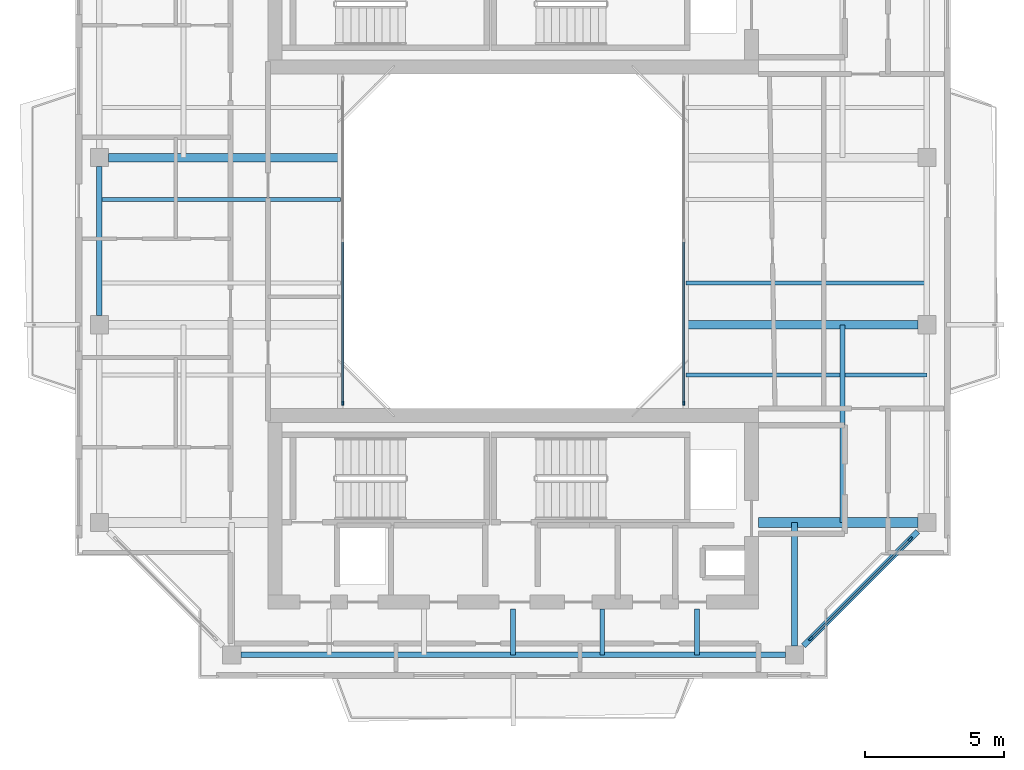
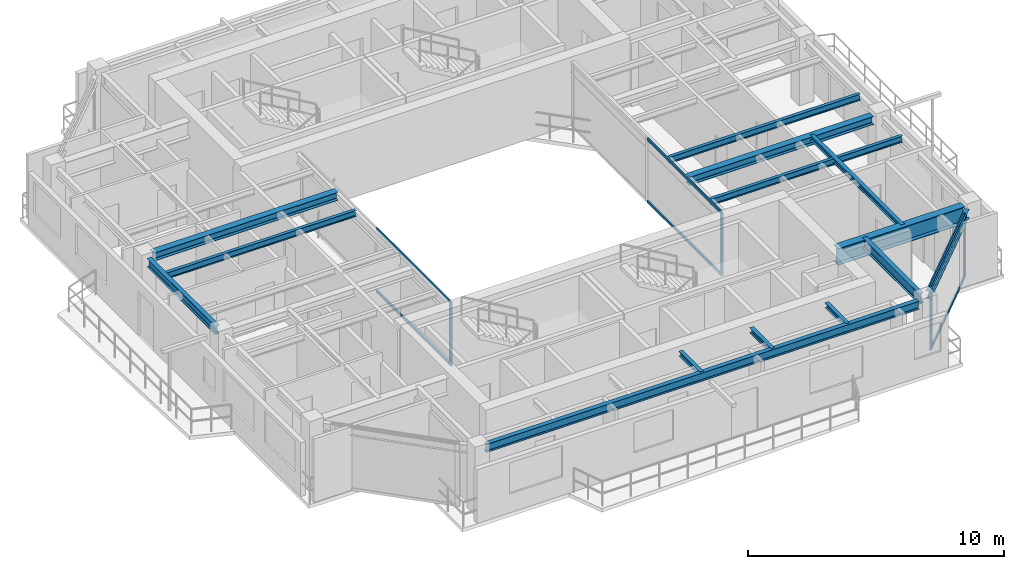
# One storey, part 4 of 14: 14 beams, 10 members, 3 elements without a shape of their own.
"""IFC4 building model written with IfcOpenShell, lengths in metres."""

from ifc_helpers import new_model, si_unit, direction, frame, origin, origin_2d, place, context, subcontext, project, spatial, rectangle, i_section, extrude, source, transform, mapped, material, layer, layer_set, material_profile, profile_set, type_object, element, aggregate, save


model = new_model("IFC4")

# Units and contexts
model_context = context("Model", 3, precision=1e-05, world=origin(), true_north=direction((0.0, 1.0)))
body_context = subcontext(model_context, "Body", "Model", "MODEL_VIEW")
ifc_project = project(units=[si_unit("LENGTHUNIT", "METRE"), si_unit("AREAUNIT", "SQUARE_METRE"), si_unit("VOLUMEUNIT", "CUBIC_METRE"), si_unit("PLANEANGLEUNIT", "RADIAN"), si_unit("MASSUNIT", "GRAM", prefix="KILO"), si_unit("THERMODYNAMICTEMPERATUREUNIT", "KELVIN"), si_unit("POWERUNIT", "WATT")], contexts=[model_context])

# Site, building, storey
site_placement = place(None, origin())
site = spatial("IfcSite", under=ifc_project, at=site_placement, CompositionType="ELEMENT")
building_placement = place(site_placement, origin())
building = spatial("IfcBuilding", under=site, at=building_placement, Name="Qiaomeng Ring Towers", CompositionType="ELEMENT")
storey_placement = place(building_placement, frame((0.0, 0.0, 260.0)))
storey = spatial("IfcBuildingStorey", under=building, at=storey_placement, Name="L76", CompositionType="ELEMENT", Elevation=260.0)

# Beams
ifc_material_1 = material(Name="Steel Q355B", Category="steel")
ifc_material_profile_1 = material_profile(ifc_material_1, i_section(OverallWidth=0.198974609375, OverallDepth=0.39599609375, WebThickness=0.007080078125, FlangeThickness=0.010986328125, FilletRadius=0.01611328125, at=origin_2d()), Name="HN 396x199x7x11")
ifc_profile_set_1 = profile_set([ifc_material_profile_1], Name="Steel Q355B")
beam_type_1 = type_object("IfcBeamType", Name="STR-BM-HN396", PredefinedType="SPANDREL", material=ifc_profile_set_1)
shared_shape_1 = source(origin(), body_context, "Body", "SweptSolid", [
    extrude(i_section(OverallWidth=0.198974609375, OverallDepth=0.39599609375, WebThickness=0.007080078125, FlangeThickness=0.010986328125, FilletRadius=0.01611328125, at=origin_2d()), origin(), (0.0, 0.0, 1.0), 19.5517578125),
])
beam_1_placement = place(storey_placement, frame((9.22412109375, 8.14990234375, 2.83203125), z_axis=(1.0, 0.0, 0.0), x_axis=(0.0, 1.0, 0.0)))
element("IfcBeam", 1, at=beam_1_placement, inside=storey, type_object=beam_type_1, Name="L76 beam STR-SP-L76-T1-S1-S2", PredefinedType="SPANDREL", context=body_context, shape_type="MappedRepresentation", body=[
    mapped(shared_shape_1, transform((0.0, 0.0, 0.0), x_axis=(1.0, 0.0, 0.0), y_axis=(0.0, 1.0, 0.0), z_axis=(0.0, 0.0, 1.0), scale=1.0)),
])
shared_shape_2 = source(origin(), body_context, "Body", "SweptSolid", [
    extrude(i_section(OverallWidth=0.198974609375, OverallDepth=0.39599609375, WebThickness=0.007080078125, FlangeThickness=0.010986328125, FilletRadius=0.01611328125, at=origin_2d()), origin(), (0.0, 0.0, 1.0), 5.800048828125),
])
beam_2_placement = place(storey_placement, frame((29.42431640625, 8.474365234375, 2.83203125), z_axis=(0.707106781187, 0.707106781187, 0.0), x_axis=(-0.707106781187, 0.707106781187, 0.0)))
element("IfcBeam", 2, at=beam_2_placement, inside=storey, type_object=beam_type_1, Name="L76 beam STR-SP-L76-T1-S2-E1", PredefinedType="SPANDREL", context=body_context, shape_type="MappedRepresentation", body=[
    mapped(shared_shape_2, transform((0.0, 0.0, 0.0), x_axis=(1.0, 0.0, 0.0), y_axis=(0.0, 1.0, 0.0), z_axis=(0.0, 0.0, 1.0), scale=1.0)),
])
shared_shape_3 = source(origin(), body_context, "Body", "SweptSolid", [
    extrude(i_section(OverallWidth=0.198974609375, OverallDepth=0.39599609375, WebThickness=0.007080078125, FlangeThickness=0.010986328125, FilletRadius=0.01611328125, at=origin_2d()), origin(), (0.0, 0.0, 1.0), 5.35205078125),
])
beam_3_placement = place(storey_placement, frame((4.14990234375, 25.676025390625, 2.83203125), z_axis=(0.0, -1.0, 0.0), x_axis=(1.0, 0.0, 0.0)))
element("IfcBeam", 3, at=beam_3_placement, inside=storey, type_object=beam_type_1, Name="L76 beam STR-SP-L76-T1-W3-W2", PredefinedType="SPANDREL", context=body_context, shape_type="MappedRepresentation", body=[
    mapped(shared_shape_3, transform((0.0, 0.0, 0.0), x_axis=(1.0, 0.0, 0.0), y_axis=(0.0, 1.0, 0.0), z_axis=(0.0, 0.0, 1.0), scale=1.0)),
])
ifc_material_2 = material(Name="Steel Q390GJC", Category="steel")
ifc_material_profile_2 = material_profile(ifc_material_2, i_section(OverallWidth=0.35009765625, OverallDepth=0.800048828125, WebThickness=0.01611328125, FlangeThickness=0.028076171875, at=origin_2d()), Name="WH 800x350x16x28")
ifc_profile_set_2 = profile_set([ifc_material_profile_2], Name="Steel Q390GJC")
beam_type_2 = type_object("IfcBeamType", Name="STR-BM-WH800", PredefinedType="BEAM", material=ifc_profile_set_2)
shared_shape_4 = source(origin(), body_context, "Body", "SweptSolid", [
    extrude(i_section(OverallWidth=0.35009765625, OverallDepth=0.800048828125, WebThickness=0.01611328125, FlangeThickness=0.028076171875, at=origin_2d()), origin(), (0.0, 0.0, 1.0), 5.725830078125),
])
beam_4_placement = place(storey_placement, frame((27.800048828125, 12.89990234375, 2.6298828125), z_axis=(1.0, 0.0, 0.0), x_axis=(0.0, 1.0, 0.0)))
element("IfcBeam", 4, at=beam_4_placement, inside=storey, type_object=beam_type_2, Name="L76 beam STR-BM-L76-T1-RAD-E1", PredefinedType="BEAM", context=body_context, shape_type="MappedRepresentation", body=[
    mapped(shared_shape_4, transform((0.0, 0.0, 0.0), x_axis=(1.0, 0.0, 0.0), y_axis=(0.0, 1.0, 0.0), z_axis=(0.0, 0.0, 1.0), scale=1.0)),
])
ifc_material_profile_3 = material_profile(ifc_material_1, i_section(OverallWidth=0.198974609375, OverallDepth=0.49609375, WebThickness=0.009033203125, FlangeThickness=0.013916015625, FilletRadius=0.01806640625, at=origin_2d()), Name="HN 496x199x9x14")
ifc_profile_set_3 = profile_set([ifc_material_profile_3], Name="Steel Q355B")
beam_type_3 = type_object("IfcBeamType", Name="STR-BM-HN496", PredefinedType="BEAM", material=ifc_profile_set_3)
shared_shape_5 = source(origin(), body_context, "Body", "SweptSolid", [
    extrude(i_section(OverallWidth=0.198974609375, OverallDepth=0.49609375, WebThickness=0.009033203125, FlangeThickness=0.013916015625, FilletRadius=0.01806640625, at=origin_2d()), origin(), (0.0, 0.0, 1.0), 4.42578125),
])
beam_5_placement = place(storey_placement, frame((29.10009765625, 8.47412109375, 2.781982421875), z_axis=(0.0, 1.0, 0.0), x_axis=(-1.0, 0.0, 0.0)))
element("IfcBeam", 5, at=beam_5_placement, inside=storey, type_object=beam_type_3, Name="L76 beam STR-BM-L76-T1-RAD-S2", PredefinedType="BEAM", context=body_context, shape_type="MappedRepresentation", body=[
    mapped(shared_shape_5, transform((0.0, 0.0, 0.0), x_axis=(1.0, 0.0, 0.0), y_axis=(0.0, 1.0, 0.0), z_axis=(0.0, 0.0, 1.0), scale=1.0)),
])
ifc_material_profile_4 = material_profile(ifc_material_1, i_section(OverallWidth=0.300048828125, OverallDepth=0.389892578125, WebThickness=0.010009765625, FlangeThickness=0.01611328125, FilletRadius=0.02197265625, at=origin_2d()), Name="HM 390x300x10x16")
ifc_profile_set_4 = profile_set([ifc_material_profile_4], Name="Steel Q355B")
beam_type_4 = type_object("IfcBeamType", Name="STR-BM-HM390", PredefinedType="BEAM", material=ifc_profile_set_4)
shared_shape_6 = source(origin(), body_context, "Body", "SweptSolid", [
    extrude(i_section(OverallWidth=0.300048828125, OverallDepth=0.389892578125, WebThickness=0.010009765625, FlangeThickness=0.01611328125, FilletRadius=0.02197265625, at=origin_2d()), origin(), (0.0, 0.0, 1.0), 8.325927734375),
])
for number, where, z_axis, x_axis, name in (
    (6, (4.47412109375, 26.0, 2.8349609375), (1.0, 0.0, 0.0), (0.0, 1.0, 0.0), "L76 beam STR-BM-L76-T1-RAD-W3"),
    (7, (25.199951171875, 20.0, 2.8349609375), (1.0, 0.0, 0.0), (0.0, 1.0, 0.0), "L76 beam STR-BM-L76-T1-RAD-E2"),
):
    element("IfcBeam", number, at=place(storey_placement, frame(where, z_axis=z_axis, x_axis=x_axis)), inside=storey, type_object=beam_type_4, Name=name, PredefinedType="BEAM", context=body_context, shape_type="MappedRepresentation", body=[
        mapped(shared_shape_6, transform((0.0, 0.0, 0.0), x_axis=(1.0, 0.0, 0.0), y_axis=(0.0, 1.0, 0.0), z_axis=(0.0, 0.0, 1.0), scale=1.0)),
    ])
ifc_material_profile_5 = material_profile(ifc_material_1, i_section(OverallWidth=0.175048828125, OverallDepth=0.243896484375, WebThickness=0.007080078125, FlangeThickness=0.010986328125, FilletRadius=0.01611328125, at=origin_2d()), Name="HM 244x175x7x11")
ifc_profile_set_5 = profile_set([ifc_material_profile_5], Name="Steel Q355B")
beam_type_5 = type_object("IfcBeamType", Name="STR-BM-HM244", PredefinedType="JOIST", material=ifc_profile_set_5)
shared_shape_7 = source(origin(), body_context, "Body", "SweptSolid", [
    extrude(i_section(OverallWidth=0.175048828125, OverallDepth=0.243896484375, WebThickness=0.007080078125, FlangeThickness=0.010986328125, FilletRadius=0.01611328125, at=origin_2d()), origin(), (0.0, 0.0, 1.0), 1.650146484375),
])
for number, where, z_axis, x_axis, name in (
    (8, (19.0, 8.14990234375, 2.907958984375), (0.0, 1.0, 0.0), (-1.0, 0.0, 0.0), "L76 beam STR-JST-L76-T1S-3"),
    (9, (22.199951171875, 8.14990234375, 2.907958984375), (0.0, 1.0, 0.0), (-1.0, 0.0, 0.0), "L76 beam STR-JST-L76-T1S-4"),
    (10, (25.60009765625, 8.14990234375, 2.907958984375), (0.0, 1.0, 0.0), (-1.0, 0.0, 0.0), "L76 beam STR-JST-L76-T1S-5"),
):
    element("IfcBeam", number, at=place(storey_placement, frame(where, z_axis=z_axis, x_axis=x_axis)), inside=storey, type_object=beam_type_5, Name=name, PredefinedType="JOIST", context=body_context, shape_type="MappedRepresentation", body=[
        mapped(shared_shape_7, transform((0.0, 0.0, 0.0), x_axis=(1.0, 0.0, 0.0), y_axis=(0.0, 1.0, 0.0), z_axis=(0.0, 0.0, 1.0), scale=1.0)),
    ])
ifc_material_profile_6 = material_profile(ifc_material_1, i_section(OverallWidth=0.14990234375, OverallDepth=0.300048828125, WebThickness=0.006591796875, FlangeThickness=0.009033203125, FilletRadius=0.012939453125, at=origin_2d()), Name="HN 300x150x6.5x9")
ifc_profile_set_6 = profile_set([ifc_material_profile_6], Name="Steel Q355B")
beam_type_6 = type_object("IfcBeamType", Name="STR-BM-HN300", PredefinedType="JOIST", material=ifc_profile_set_6)
shared_shape_8 = source(origin(), body_context, "Body", "SweptSolid", [
    extrude(i_section(OverallWidth=0.14990234375, OverallDepth=0.300048828125, WebThickness=0.006591796875, FlangeThickness=0.009033203125, FilletRadius=0.012939453125, at=origin_2d()), origin(), (0.0, 0.0, 1.0), 8.650146484375),
])
for number, where, z_axis, x_axis, name in (
    (11, (25.199951171875, 18.199951171875, 2.8798828125), (1.0, 0.0, 0.0), (0.0, 1.0, 0.0), "L76 beam STR-JST-L76-T1E-1"),
    (12, (25.199951171875, 21.5, 2.8798828125), (1.0, 0.0, 0.0), (0.0, 1.0, 0.0), "L76 beam STR-JST-L76-T1E-2"),
    (13, (4.14990234375, 24.5, 2.8798828125), (1.0, 0.0, 0.0), (0.0, 1.0, 0.0), "L76 beam STR-JST-L76-T1W-3"),
):
    element("IfcBeam", number, at=place(storey_placement, frame(where, z_axis=z_axis, x_axis=x_axis)), inside=storey, type_object=beam_type_6, Name=name, PredefinedType="JOIST", context=body_context, shape_type="MappedRepresentation", body=[
        mapped(shared_shape_8, transform((0.0, 0.0, 0.0), x_axis=(1.0, 0.0, 0.0), y_axis=(0.0, 1.0, 0.0), z_axis=(0.0, 0.0, 1.0), scale=1.0)),
    ])
shared_shape_9 = source(origin(), body_context, "Body", "SweptSolid", [
    extrude(i_section(OverallWidth=0.175048828125, OverallDepth=0.243896484375, WebThickness=0.007080078125, FlangeThickness=0.010986328125, FilletRadius=0.01611328125, at=origin_2d()), origin(), (0.0, 0.0, 1.0), 7.10009765625),
])
beam_6_placement = place(storey_placement, frame((30.824951171875, 12.89990234375, 2.907958984375), z_axis=(0.0, 1.0, 0.0), x_axis=(-1.0, 0.0, 0.0)))
element("IfcBeam", 14, at=beam_6_placement, inside=storey, type_object=beam_type_5, Name="L76 beam STR-JST-L76-T1C-ES", PredefinedType="JOIST", context=body_context, shape_type="MappedRepresentation", body=[
    mapped(shared_shape_9, transform((0.0, 0.0, 0.0), x_axis=(1.0, 0.0, 0.0), y_axis=(0.0, 1.0, 0.0), z_axis=(0.0, 0.0, 1.0), scale=1.0)),
])

# Curtain wall, members
ifc_material_3 = material(Name="Fluorocarbon dark-grey aluminium", Category="aluminium")
ifc_layer_1 = layer(ifc_material_3, 0.139892578125, Name="Fluorocarbon dark-grey aluminium")
ifc_layer_set_1 = layer_set([ifc_layer_1], Name="Fluorocarbon dark-grey aluminium")
curtain_wall_type_1 = type_object("IfcCurtainWallType", Name="ARC-CW-4", PredefinedType="NOTDEFINED", material=ifc_layer_set_1)
curtain_wall_1_placement = place(storey_placement, origin())
curtain_wall_1 = element("IfcCurtainWall", 15, at=curtain_wall_1_placement, inside=storey, type_object=curtain_wall_type_1, Name="L76 Curtain Wall CW4", PredefinedType="NOTDEFINED")
ifc_material_profile_7 = material_profile(ifc_material_3, rectangle(XDim=0.06494140625, YDim=0.1298828125, at=origin_2d()), Name="ALU TRAN 65x130")
ifc_profile_set_7 = profile_set([ifc_material_profile_7], Name="Fluorocarbon dark-grey aluminium")
member_type_1 = type_object("IfcMemberType", Name="ARC-CWT-120", PredefinedType="USERDEFINED", material=ifc_profile_set_7)
shared_shape_10 = source(origin(), body_context, "Body", "SweptSolid", [
    extrude(rectangle(XDim=0.06494140625, YDim=0.1298828125, at=origin_2d()), origin(), (0.0, 0.0, 1.0), 5.75244140625),
])
member_1_placement = place(storey_placement, frame((12.8798828125, 17.215087890625, 0.032470703125), z_axis=(0.0, 1.0, 0.0), x_axis=(-1.0, 0.0, 0.0)))
member_1 = element("IfcMember", 16, at=member_1_placement, type_object=member_type_1, Name="CW4 transom 1.1", ObjectType="TRANSOM", PredefinedType="USERDEFINED", context=body_context, shape_type="MappedRepresentation", body=[
    mapped(shared_shape_10, transform((0.0, 0.0, 0.0), x_axis=(1.0, 0.0, 0.0), y_axis=(0.0, 1.0, 0.0), z_axis=(0.0, 0.0, 1.0), scale=1.0)),
])
member_2_placement = place(storey_placement, frame((12.8798828125, 17.215087890625, 2.99755859375), z_axis=(0.0, 1.0, 0.0), x_axis=(-1.0, 0.0, 0.0)))
member_2 = element("IfcMember", 17, at=member_2_placement, type_object=member_type_1, Name="CW4 transom 1.2", ObjectType="TRANSOM", PredefinedType="USERDEFINED", context=body_context, shape_type="MappedRepresentation", body=[
    mapped(shared_shape_10, transform((0.0, 0.0, 0.0), x_axis=(1.0, 0.0, 0.0), y_axis=(0.0, 1.0, 0.0), z_axis=(0.0, 0.0, 1.0), scale=1.0)),
])

curtain_wall_2_placement = place(storey_placement, origin())
curtain_wall_2 = element("IfcCurtainWall", 18, at=curtain_wall_2_placement, inside=storey, type_object=curtain_wall_type_1, Name="L76 Curtain Wall CW4", PredefinedType="NOTDEFINED")
member_3_placement = place(storey_placement, frame((25.1201171875, 17.215087890625, 0.032470703125), z_axis=(0.0, 1.0, 0.0), x_axis=(-1.0, 0.0, 0.0)))
member_3 = element("IfcMember", 19, at=member_3_placement, type_object=member_type_1, Name="CW4 transom 1.1", ObjectType="TRANSOM", PredefinedType="USERDEFINED", context=body_context, shape_type="MappedRepresentation", body=[
    mapped(shared_shape_10, transform((0.0, 0.0, 0.0), x_axis=(1.0, 0.0, 0.0), y_axis=(0.0, 1.0, 0.0), z_axis=(0.0, 0.0, 1.0), scale=1.0)),
])
member_4_placement = place(storey_placement, frame((25.1201171875, 17.215087890625, 2.99755859375), z_axis=(0.0, 1.0, 0.0), x_axis=(-1.0, 0.0, 0.0)))
member_4 = element("IfcMember", 20, at=member_4_placement, type_object=member_type_1, Name="CW4 transom 1.2", ObjectType="TRANSOM", PredefinedType="USERDEFINED", context=body_context, shape_type="MappedRepresentation", body=[
    mapped(shared_shape_10, transform((0.0, 0.0, 0.0), x_axis=(1.0, 0.0, 0.0), y_axis=(0.0, 1.0, 0.0), z_axis=(0.0, 0.0, 1.0), scale=1.0)),
])

# Member
ifc_material_profile_8 = material_profile(ifc_material_3, rectangle(XDim=0.06494140625, YDim=0.159912109375, at=origin_2d()), Name="ALU MULL 65x160")
ifc_profile_set_8 = profile_set([ifc_material_profile_8], Name="Fluorocarbon dark-grey aluminium")
member_type_2 = type_object("IfcMemberType", Name="ARC-CWM-140", PredefinedType="MULLION", material=ifc_profile_set_8)
shared_shape_11 = source(origin(), body_context, "Body", "SweptSolid", [
    extrude(rectangle(XDim=0.06494140625, YDim=0.159912109375, at=origin_2d()), origin(), (0.0, 0.0, 1.0), 3.030029296875),
])
member_5_placement = place(storey_placement, frame((12.8798828125, 17.1826171875, 0.0), z_axis=(0.0, 0.0, 1.0), x_axis=(-1.0, 0.0, 0.0)))
member_5 = element("IfcMember", 21, at=member_5_placement, type_object=member_type_2, Name="CW4 mullion 1", PredefinedType="MULLION", context=body_context, shape_type="MappedRepresentation", body=[
    mapped(shared_shape_11, transform((0.0, 0.0, 0.0), x_axis=(1.0, 0.0, 0.0), y_axis=(0.0, 1.0, 0.0), z_axis=(0.0, 0.0, 1.0), scale=1.0)),
])

aggregate(curtain_wall_1, [member_5, member_1, member_2])

member_6_placement = place(storey_placement, frame((25.1201171875, 17.1826171875, 0.0), z_axis=(0.0, 0.0, 1.0), x_axis=(-1.0, 0.0, 0.0)))
member_6 = element("IfcMember", 22, at=member_6_placement, type_object=member_type_2, Name="CW4 mullion 1", PredefinedType="MULLION", context=body_context, shape_type="MappedRepresentation", body=[
    mapped(shared_shape_11, transform((0.0, 0.0, 0.0), x_axis=(1.0, 0.0, 0.0), y_axis=(0.0, 1.0, 0.0), z_axis=(0.0, 0.0, 1.0), scale=1.0)),
])

aggregate(curtain_wall_2, [member_6, member_3, member_4])

# Curtain wall, members
ifc_layer_2 = layer(ifc_material_3, 0.14990234375, Name="Fluorocarbon dark-grey aluminium")
ifc_layer_set_2 = layer_set([ifc_layer_2], Name="Fluorocarbon dark-grey aluminium")
curtain_wall_type_2 = type_object("IfcCurtainWallType", Name="ARC-CW-3", PredefinedType="NOTDEFINED", material=ifc_layer_set_2)
curtain_wall_3_placement = place(storey_placement, origin())
curtain_wall_3 = element("IfcCurtainWall", 23, at=curtain_wall_3_placement, inside=storey, type_object=curtain_wall_type_2, Name="L76 Curtain Wall CW3", PredefinedType="NOTDEFINED")
ifc_material_profile_9 = material_profile(ifc_material_3, rectangle(XDim=0.070068359375, YDim=0.179931640625, at=origin_2d()), Name="ALU MULL 70x180")
ifc_profile_set_9 = profile_set([ifc_material_profile_9], Name="Fluorocarbon dark-grey aluminium")
member_type_3 = type_object("IfcMemberType", Name="ARC-CWM-160", PredefinedType="MULLION", material=ifc_profile_set_9)
shared_shape_12 = source(origin(), body_context, "Body", "SweptSolid", [
    extrude(rectangle(XDim=0.070068359375, YDim=0.179931640625, at=origin_2d()), origin(), (0.0, 0.0, 1.0), 3.030029296875),
])
member_7_placement = place(storey_placement, frame((29.689697265625, 8.73974609375, 0.0), z_axis=(0.0, 0.0, 1.0), x_axis=(-0.707106781187, 0.707106781187, 0.0)))
member_7 = element("IfcMember", 24, at=member_7_placement, type_object=member_type_3, Name="CW3 mullion 1", PredefinedType="MULLION", context=body_context, shape_type="MappedRepresentation", body=[
    mapped(shared_shape_12, transform((0.0, 0.0, 0.0), x_axis=(1.0, 0.0, 0.0), y_axis=(0.0, 1.0, 0.0), z_axis=(0.0, 0.0, 1.0), scale=1.0)),
])
member_8_placement = place(storey_placement, frame((33.26025390625, 12.310302734375, 0.0), z_axis=(0.0, 0.0, 1.0), x_axis=(-0.707106781187, 0.707106781187, 0.0)))
member_8 = element("IfcMember", 25, at=member_8_placement, type_object=member_type_3, Name="CW3 mullion 2", PredefinedType="MULLION", context=body_context, shape_type="MappedRepresentation", body=[
    mapped(shared_shape_12, transform((0.0, 0.0, 0.0), x_axis=(1.0, 0.0, 0.0), y_axis=(0.0, 1.0, 0.0), z_axis=(0.0, 0.0, 1.0), scale=1.0)),
])
shared_shape_13 = source(origin(), body_context, "Body", "SweptSolid", [
    extrude(rectangle(XDim=0.06494140625, YDim=0.1298828125, at=origin_2d()), origin(), (0.0, 0.0, 1.0), 4.9794921875),
])
member_9_placement = place(storey_placement, frame((29.714599609375, 8.764404296875, 0.032470703125), z_axis=(0.707106781187, 0.707106781187, 0.0), x_axis=(-0.707106781187, 0.707106781187, 0.0)))
member_9 = element("IfcMember", 26, at=member_9_placement, type_object=member_type_1, Name="CW3 transom 1.1", ObjectType="TRANSOM", PredefinedType="USERDEFINED", context=body_context, shape_type="MappedRepresentation", body=[
    mapped(shared_shape_13, transform((0.0, 0.0, 0.0), x_axis=(1.0, 0.0, 0.0), y_axis=(0.0, 1.0, 0.0), z_axis=(0.0, 0.0, 1.0), scale=1.0)),
])
member_10_placement = place(storey_placement, frame((29.714599609375, 8.764404296875, 2.99755859375), z_axis=(0.707106781187, 0.707106781187, 0.0), x_axis=(-0.707106781187, 0.707106781187, 0.0)))
member_10 = element("IfcMember", 27, at=member_10_placement, type_object=member_type_1, Name="CW3 transom 1.2", ObjectType="TRANSOM", PredefinedType="USERDEFINED", context=body_context, shape_type="MappedRepresentation", body=[
    mapped(shared_shape_13, transform((0.0, 0.0, 0.0), x_axis=(1.0, 0.0, 0.0), y_axis=(0.0, 1.0, 0.0), z_axis=(0.0, 0.0, 1.0), scale=1.0)),
])
aggregate(curtain_wall_3, [member_7, member_8, member_9, member_10])

save(model, "model.ifc")
